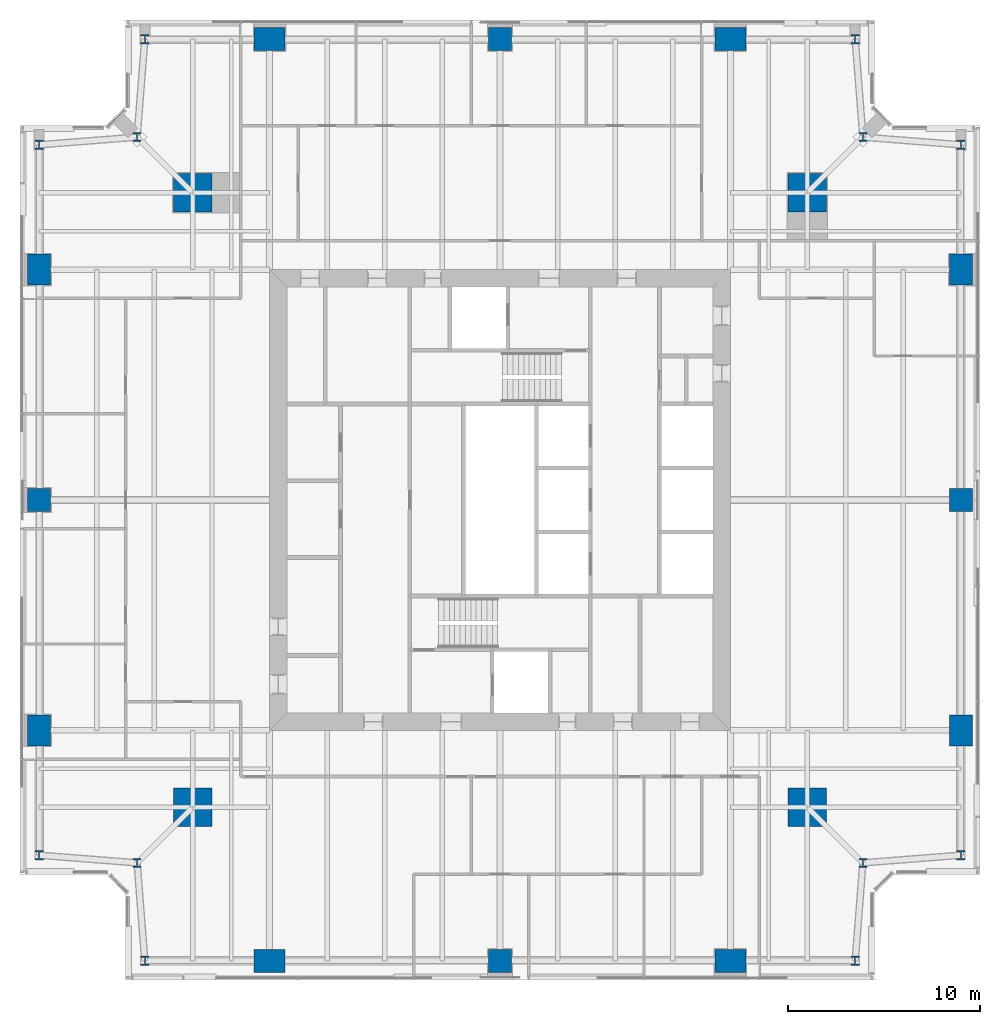
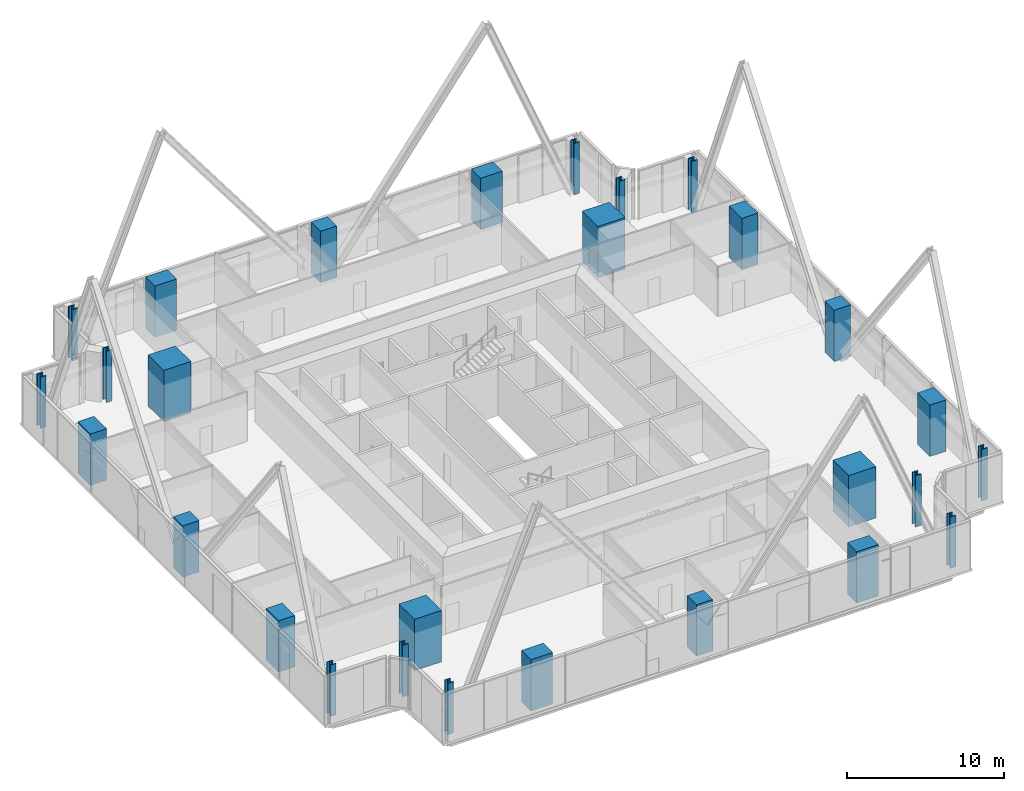
# One storey, part 1 of 14: 28 columns.
"""IFC4 building model written with IfcOpenShell, lengths in metres."""

from ifc_helpers import new_model, si_unit, direction, frame, origin, origin_2d, place, context, subcontext, project, spatial, rectangle, i_section, extrude, material, material_profile, profile_set, type_object, element, save


model = new_model("IFC4")

# Units and contexts
model_context = context("Model", 3, precision=1e-05, world=origin(), true_north=direction((0.0, 1.0)))
body_context = subcontext(model_context, "Body", "Model", "MODEL_VIEW")
ifc_project = project(units=[si_unit("LENGTHUNIT", "METRE"), si_unit("AREAUNIT", "SQUARE_METRE"), si_unit("VOLUMEUNIT", "CUBIC_METRE"), si_unit("PLANEANGLEUNIT", "RADIAN"), si_unit("MASSUNIT", "GRAM", prefix="KILO")], contexts=[model_context])

# Site, building, storey
site_placement = place(None, origin())
site = spatial("IfcSite", under=ifc_project, at=site_placement, CompositionType="ELEMENT")
building_placement = place(site_placement, origin())
building = spatial("IfcBuilding", under=site, at=building_placement, Name="Fenwick Lantern Interchange", CompositionType="ELEMENT")
storey_placement = place(building_placement, frame((0.0, 0.0, 185.800048828125)))
storey = spatial("IfcBuildingStorey", under=building, at=storey_placement, Name="L43", CompositionType="ELEMENT", Elevation=185.800048828125)

# Columns
ifc_material_1 = material(Name="Concrete f'c 70 MPa", Category="concrete")
ifc_material_profile_1 = material_profile(ifc_material_1, rectangle(XDim=2.0, YDim=2.0, at=origin_2d()), Name="RC2000X2000")
ifc_profile_set_1 = profile_set([ifc_material_profile_1], Name="Concrete f'c 70 MPa")
column_type_1 = type_object("IfcColumnType", Name="MEGA COLUMN RC2000X2000", PredefinedType="COLUMN", material=ifc_profile_set_1)
for number, where, z_axis, x_axis, name in (
    (1, (9.0, 9.0, 0.0), (0.0, 0.0, 1.0), (1.0, 0.0, 0.0), "L43/M1"),
    (2, (41.0, 9.0, 0.0), (0.0, 0.0, 1.0), (1.0, 0.0, 0.0), "L43/M2"),
    (3, (41.0, 41.0, 0.0), (0.0, 0.0, 1.0), (1.0, 0.0, 0.0), "L43/M3"),
    (4, (9.0, 41.0, 0.0), (0.0, 0.0, 1.0), (1.0, 0.0, 0.0), "L43/M4"),
):
    element("IfcColumn", number, at=place(storey_placement, frame(where, z_axis=z_axis, x_axis=x_axis)), inside=storey, type_object=column_type_1, Name=name, PredefinedType="COLUMN", context=body_context, shape_type="SweptSolid", body=[
        extrude(rectangle(XDim=2.0, YDim=2.0, at=origin_2d()), origin(), (0.0, 0.0, 1.0), 4.0),
    ])
ifc_material_profile_2 = material_profile(ifc_material_1, rectangle(XDim=1.199951171875, YDim=1.199951171875, at=origin_2d()), Name="RC1200X1200")
ifc_profile_set_2 = profile_set([ifc_material_profile_2], Name="Concrete f'c 70 MPa")
column_type_2 = type_object("IfcColumnType", Name="PERIMETER COLUMN RC1200X1200", PredefinedType="COLUMN", material=ifc_profile_set_2)
for number, where, z_axis, x_axis, name in (
    (5, (25.0, 1.0, 0.0), (0.0, 0.0, 1.0), (1.0, 0.0, 0.0), "L43/CS3"),
    (6, (49.0, 25.0, 0.0), (0.0, 0.0, 1.0), (1.0, 0.0, 0.0), "L43/CE3"),
    (7, (25.0, 49.0, 0.0), (0.0, 0.0, 1.0), (1.0, 0.0, 0.0), "L43/CN3"),
    (8, (1.0, 25.0, 0.0), (0.0, 0.0, 1.0), (1.0, 0.0, 0.0), "L43/CW3"),
):
    element("IfcColumn", number, at=place(storey_placement, frame(where, z_axis=z_axis, x_axis=x_axis)), inside=storey, type_object=column_type_2, Name=name, PredefinedType="COLUMN", context=body_context, shape_type="SweptSolid", body=[
        extrude(rectangle(XDim=1.199951171875, YDim=1.199951171875, at=origin_2d()), origin(), (0.0, 0.0, 1.0), 4.0),
    ])
ifc_material_profile_3 = material_profile(ifc_material_1, rectangle(XDim=1.199951171875, YDim=1.60009765625, at=origin_2d()), Name="RC1200X1600")
ifc_profile_set_3 = profile_set([ifc_material_profile_3], Name="Concrete f'c 70 MPa")
column_type_3 = type_object("IfcColumnType", Name="PERIMETER COLUMN RC1200X1600", PredefinedType="COLUMN", material=ifc_profile_set_3)
for number, where, z_axis, x_axis, name in (
    (9, (49.0, 13.0, 0.0), (0.0, 0.0, 1.0), (1.0, 0.0, 0.0), "L43/CE2"),
    (10, (49.0, 37.0, 0.0), (0.0, 0.0, 1.0), (1.0, 0.0, 0.0), "L43/CE4"),
    (11, (1.0, 37.0, 0.0), (0.0, 0.0, 1.0), (1.0, 0.0, 0.0), "L43/CW2"),
    (12, (1.0, 13.0, 0.0), (0.0, 0.0, 1.0), (1.0, 0.0, 0.0), "L43/CW4"),
):
    element("IfcColumn", number, at=place(storey_placement, frame(where, z_axis=z_axis, x_axis=x_axis)), inside=storey, type_object=column_type_3, Name=name, PredefinedType="COLUMN", context=body_context, shape_type="SweptSolid", body=[
        extrude(rectangle(XDim=1.199951171875, YDim=1.60009765625, at=origin_2d()), origin(), (0.0, 0.0, 1.0), 4.0),
    ])
ifc_material_profile_4 = material_profile(ifc_material_1, rectangle(XDim=1.60009765625, YDim=1.199951171875, at=origin_2d()), Name="RC1600X1200")
ifc_profile_set_4 = profile_set([ifc_material_profile_4], Name="Concrete f'c 70 MPa")
column_type_4 = type_object("IfcColumnType", Name="PERIMETER COLUMN RC1600X1200", PredefinedType="COLUMN", material=ifc_profile_set_4)
for number, where, z_axis, x_axis, name in (
    (13, (13.0, 1.0, 0.0), (0.0, 0.0, 1.0), (1.0, 0.0, 0.0), "L43/CS2"),
    (14, (37.0, 1.0, 0.0), (0.0, 0.0, 1.0), (1.0, 0.0, 0.0), "L43/CS4"),
    (15, (37.0, 49.0, 0.0), (0.0, 0.0, 1.0), (1.0, 0.0, 0.0), "L43/CN2"),
    (16, (13.0, 49.0, 0.0), (0.0, 0.0, 1.0), (1.0, 0.0, 0.0), "L43/CN4"),
):
    element("IfcColumn", number, at=place(storey_placement, frame(where, z_axis=z_axis, x_axis=x_axis)), inside=storey, type_object=column_type_4, Name=name, PredefinedType="COLUMN", context=body_context, shape_type="SweptSolid", body=[
        extrude(rectangle(XDim=1.60009765625, YDim=1.199951171875, at=origin_2d()), origin(), (0.0, 0.0, 1.0), 4.0),
    ])
ifc_material_2 = material(Name="Steel ASTM A992 Grade 50", Category="steel")
ifc_material_profile_5 = material_profile(ifc_material_2, i_section(OverallWidth=0.424072265625, OverallDepth=0.47509765625, WebThickness=0.0478515625, FlangeThickness=0.0771484375, at=origin_2d()), Name="W14X426")
ifc_profile_set_5 = profile_set([ifc_material_profile_5], Name="Steel ASTM A992 Grade 50")
column_type_5 = type_object("IfcColumnType", Name="PERIMETER COLUMN W14X426", PredefinedType="COLUMN", material=ifc_profile_set_5)
for number, where, z_axis, x_axis, name in (
    (17, (6.5, 1.0, 0.0), (0.0, 0.0, 1.0), (1.0, 0.0, 0.0), "L43/CS1"),
    (18, (43.5, 1.0, 0.0), (0.0, 0.0, 1.0), (1.0, 0.0, 0.0), "L43/CS5"),
    (19, (43.89990234375, 6.10009765625, 0.0), (0.0, 0.0, 1.0), (1.0, 0.0, 0.0), "L43/CSR"),
    (20, (49.0, 6.5, 0.0), (0.0, 0.0, 1.0), (1.0, 0.0, 0.0), "L43/CE1"),
    (21, (49.0, 43.5, 0.0), (0.0, 0.0, 1.0), (1.0, 0.0, 0.0), "L43/CE5"),
    (22, (43.89990234375, 43.89990234375, 0.0), (0.0, 0.0, 1.0), (1.0, 0.0, 0.0), "L43/CER"),
    (23, (43.5, 49.0, 0.0), (0.0, 0.0, 1.0), (1.0, 0.0, 0.0), "L43/CN1"),
    (24, (6.5, 49.0, 0.0), (0.0, 0.0, 1.0), (1.0, 0.0, 0.0), "L43/CN5"),
    (25, (6.10009765625, 43.89990234375, 0.0), (0.0, 0.0, 1.0), (1.0, 0.0, 0.0), "L43/CNR"),
    (26, (1.0, 43.5, 0.0), (0.0, 0.0, 1.0), (1.0, 0.0, 0.0), "L43/CW1"),
    (27, (1.0, 6.5, 0.0), (0.0, 0.0, 1.0), (1.0, 0.0, 0.0), "L43/CW5"),
    (28, (6.10009765625, 6.10009765625, 0.0), (0.0, 0.0, 1.0), (1.0, 0.0, 0.0), "L43/CWR"),
):
    element("IfcColumn", number, at=place(storey_placement, frame(where, z_axis=z_axis, x_axis=x_axis)), inside=storey, type_object=column_type_5, Name=name, PredefinedType="COLUMN", context=body_context, shape_type="SweptSolid", body=[
        extrude(i_section(OverallWidth=0.424072265625, OverallDepth=0.47509765625, WebThickness=0.0478515625, FlangeThickness=0.0771484375, at=origin_2d()), origin(), (0.0, 0.0, 1.0), 4.0),
    ])

save(model, "model.ifc")
